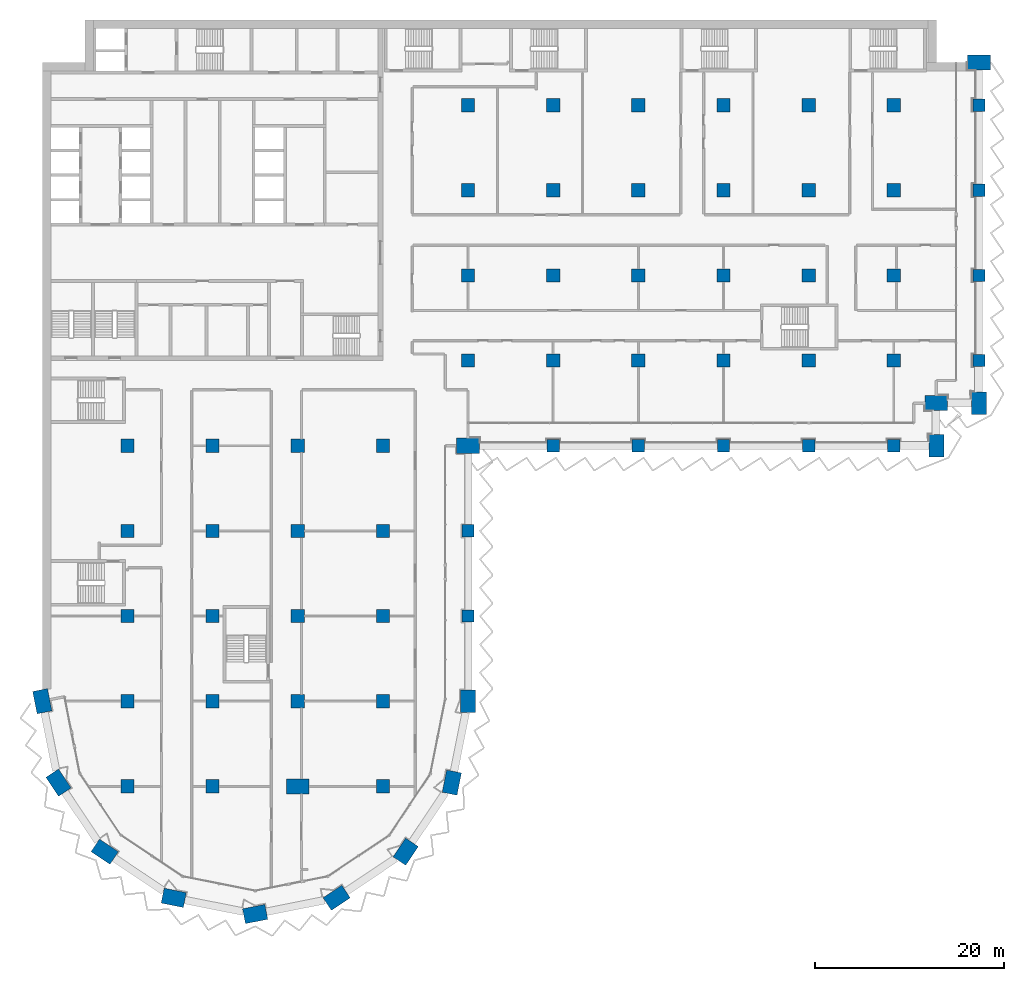
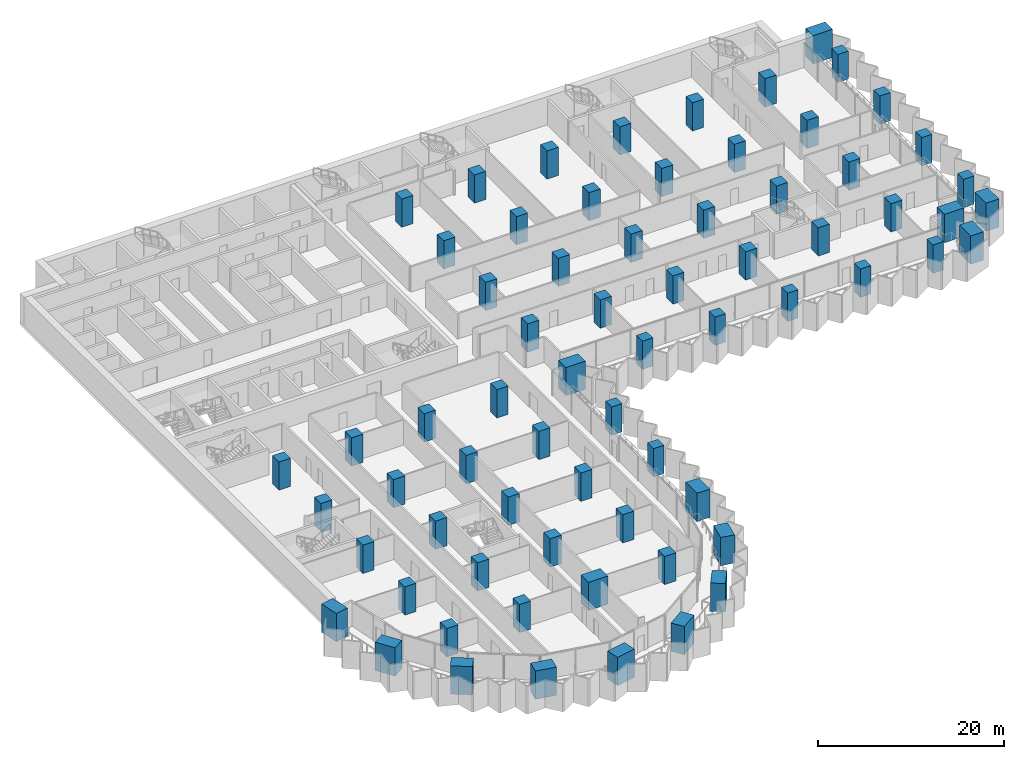
# One storey, part 1 of 28: 69 columns.
"""IFC4 building model written with IfcOpenShell, lengths in metres."""

from ifc_helpers import new_model, si_unit, direction, frame, origin, origin_2d, place, context, subcontext, project, spatial, rectangle, extrude, material, material_profile, profile_set, type_object, element, save


model = new_model("IFC4")

# Units and contexts
model_context = context("Model", 3, precision=1e-05, world=origin(), true_north=direction((0.0, 1.0)))
body_context = subcontext(model_context, "Body", "Model", "MODEL_VIEW")
ifc_project = project(units=[si_unit("LENGTHUNIT", "METRE"), si_unit("AREAUNIT", "SQUARE_METRE"), si_unit("VOLUMEUNIT", "CUBIC_METRE"), si_unit("PLANEANGLEUNIT", "RADIAN"), si_unit("MASSUNIT", "GRAM", prefix="KILO")], contexts=[model_context])

# Site, building, storey
site_placement = place(None, origin())
site = spatial("IfcSite", under=ifc_project, at=site_placement, CompositionType="ELEMENT")
building_placement = place(site_placement, origin())
building = spatial("IfcBuilding", under=site, at=building_placement, Name="Hunhe Ridgeline Campus", CompositionType="ELEMENT")
storey_placement = place(building_placement, frame((0.0, 0.0, 72.800048828125)))
storey = spatial("IfcBuildingStorey", under=building, at=storey_placement, Name="L17", CompositionType="ELEMENT", Elevation=72.800048828125)

# Columns
ifc_material = material(Name="Concrete C80", Category="concrete")
ifc_material_profile_1 = material_profile(ifc_material, rectangle(XDim=2.39990234375, YDim=1.60009765625, at=origin_2d()))
ifc_profile_set_1 = profile_set([ifc_material_profile_1], Name="Concrete C80")
column_type_1 = type_object("IfcColumnType", Name="Megacolumn 2400x1600 Concrete C80", PredefinedType="COLUMN", material=ifc_profile_set_1)
for number, where, z_axis, x_axis, name in (
    (1, (22.5, 4.5, 0.0), (0.0, 0.0, 1.0), (0.980785280403, 0.195090322016, 0.0), "Column C3 R1 L17"),
    (2, (13.8896484375, 6.212646484375, 0.0), (0.0, 0.0, 1.0), (-0.980785280403, 0.195090322016, 0.0), "Column C3 R2 L17"),
    (3, (31.1103515625, 6.212646484375, 0.0), (0.0, 0.0, 1.0), (0.831469612303, 0.55557023302, 0.0), "Column C3 R3 L17"),
    (4, (6.590087890625, 11.090087890625, 0.0), (0.0, 0.0, 1.0), (-0.831469612303, 0.55557023302, 0.0), "Column C3 R4 L17"),
    (5, (38.409912109375, 11.090087890625, 0.0), (0.0, 0.0, 1.0), (0.55557023302, 0.831469612303, 0.0), "Column C3 R5 L17"),
    (6, (1.712646484375, 18.3896484375, 0.0), (0.0, 0.0, 1.0), (-0.55557023302, 0.831469612303, 0.0), "Column C3 R9 L17"),
    (7, (43.287353515625, 18.3896484375, 0.0), (0.0, 0.0, 1.0), (0.195090322016, 0.980785280403, 0.0), "Column C3 R10 L17"),
    (8, (0.0, 27.0, 0.0), (0.0, 0.0, 1.0), (-0.195090322016, 0.980785280403, 0.0), "Column C3 D1 L17"),
    (9, (45.0, 27.0, 0.0), (0.0, 0.0, 1.0), (0.0, 1.0, 0.0), "Column C3 D6 L17"),
    (10, (45.0, 54.0, 0.0), (0.0, 0.0, 1.0), (1.0, 0.0, 0.0), "Column C3 G6 L17"),
    (11, (94.5, 54.0, 0.0), (0.0, 0.0, 1.0), (0.0, 1.0, 0.0), "Column C3 R32 L17"),
    (12, (94.5, 58.5, 0.0), (0.0, 0.0, 1.0), (1.0, 0.0, 0.0), "Column C3 R39 L17"),
    (13, (99.0, 58.5, 0.0), (0.0, 0.0, 1.0), (0.0, 1.0, 0.0), "Column C3 R40 L17"),
    (14, (99.0, 94.5, 0.0), (0.0, 0.0, 1.0), (1.0, 0.0, 0.0), "Column C3 R44 L17"),
    (15, (27.0, 18.0, 0.0), (0.0, 0.0, 1.0), (1.0, 0.0, 0.0), "Column C3 C4 L17"),
):
    element("IfcColumn", number, at=place(storey_placement, frame(where, z_axis=z_axis, x_axis=x_axis)), inside=storey, type_object=column_type_1, Name=name, PredefinedType="COLUMN", context=body_context, shape_type="SweptSolid", body=[
        extrude(rectangle(XDim=2.39990234375, YDim=1.60009765625, at=origin_2d()), origin(), (0.0, 0.0, 1.0), 3.699951171875),
    ])
ifc_material_profile_2 = material_profile(ifc_material, rectangle(XDim=1.300048828125, YDim=1.300048828125, at=origin_2d()))
ifc_profile_set_2 = profile_set([ifc_material_profile_2], Name="Concrete C80")
column_type_2 = type_object("IfcColumnType", Name="RC column 1300x1300 Concrete C80", PredefinedType="COLUMN", material=ifc_profile_set_2)
for number, where, z_axis, x_axis, name in (
    (16, (45.0, 36.0, 0.0), (0.0, 0.0, 1.0), (1.0, 0.0, 0.0), "Column C4 E6 L17"),
    (17, (45.0, 45.0, 0.0), (0.0, 0.0, 1.0), (1.0, 0.0, 0.0), "Column C4 F6 L17"),
    (18, (54.0, 54.0, 0.0), (0.0, 0.0, 1.0), (1.0, 0.0, 0.0), "Column C4 G7 L17"),
    (19, (63.0, 54.0, 0.0), (0.0, 0.0, 1.0), (1.0, 0.0, 0.0), "Column C4 G8 L17"),
    (20, (72.0, 54.0, 0.0), (0.0, 0.0, 1.0), (1.0, 0.0, 0.0), "Column C4 G9 L17"),
    (21, (81.0, 54.0, 0.0), (0.0, 0.0, 1.0), (1.0, 0.0, 0.0), "Column C4 G10 L17"),
    (22, (90.0, 54.0, 0.0), (0.0, 0.0, 1.0), (1.0, 0.0, 0.0), "Column C4 G11 L17"),
    (23, (99.0, 63.0, 0.0), (0.0, 0.0, 1.0), (1.0, 0.0, 0.0), "Column C4 H12 L17"),
    (24, (99.0, 72.0, 0.0), (0.0, 0.0, 1.0), (1.0, 0.0, 0.0), "Column C4 I12 L17"),
    (25, (99.0, 81.0, 0.0), (0.0, 0.0, 1.0), (1.0, 0.0, 0.0), "Column C4 J12 L17"),
    (26, (99.0, 90.0, 0.0), (0.0, 0.0, 1.0), (1.0, 0.0, 0.0), "Column C4 K12 L17"),
):
    element("IfcColumn", number, at=place(storey_placement, frame(where, z_axis=z_axis, x_axis=x_axis)), inside=storey, type_object=column_type_2, Name=name, PredefinedType="COLUMN", context=body_context, shape_type="SweptSolid", body=[
        extrude(rectangle(XDim=1.300048828125, YDim=1.300048828125, at=origin_2d()), origin(), (0.0, 0.0, 1.0), 3.699951171875),
    ])
ifc_material_profile_3 = material_profile(ifc_material, rectangle(XDim=1.39990234375, YDim=1.39990234375, at=origin_2d()))
ifc_profile_set_3 = profile_set([ifc_material_profile_3], Name="Concrete C80")
column_type_3 = type_object("IfcColumnType", Name="RC column 1400x1400 Concrete C80", PredefinedType="COLUMN", material=ifc_profile_set_3)
for number, where, z_axis, x_axis, name in (
    (27, (9.0, 18.0, 0.0), (0.0, 0.0, 1.0), (1.0, 0.0, 0.0), "Column C5 C2 L17"),
    (28, (9.0, 27.0, 0.0), (0.0, 0.0, 1.0), (1.0, 0.0, 0.0), "Column C5 D2 L17"),
    (29, (9.0, 36.0, 0.0), (0.0, 0.0, 1.0), (1.0, 0.0, 0.0), "Column C5 E2 L17"),
    (30, (9.0, 45.0, 0.0), (0.0, 0.0, 1.0), (1.0, 0.0, 0.0), "Column C5 F2 L17"),
    (31, (9.0, 54.0, 0.0), (0.0, 0.0, 1.0), (1.0, 0.0, 0.0), "Column C5 G2 L17"),
    (32, (18.0, 18.0, 0.0), (0.0, 0.0, 1.0), (1.0, 0.0, 0.0), "Column C5 C3 L17"),
    (33, (18.0, 27.0, 0.0), (0.0, 0.0, 1.0), (1.0, 0.0, 0.0), "Column C5 D3 L17"),
    (34, (18.0, 36.0, 0.0), (0.0, 0.0, 1.0), (1.0, 0.0, 0.0), "Column C5 E3 L17"),
    (35, (18.0, 45.0, 0.0), (0.0, 0.0, 1.0), (1.0, 0.0, 0.0), "Column C5 F3 L17"),
    (36, (18.0, 54.0, 0.0), (0.0, 0.0, 1.0), (1.0, 0.0, 0.0), "Column C5 G3 L17"),
    (37, (27.0, 27.0, 0.0), (0.0, 0.0, 1.0), (1.0, 0.0, 0.0), "Column C5 D4 L17"),
    (38, (27.0, 36.0, 0.0), (0.0, 0.0, 1.0), (1.0, 0.0, 0.0), "Column C5 E4 L17"),
    (39, (27.0, 45.0, 0.0), (0.0, 0.0, 1.0), (1.0, 0.0, 0.0), "Column C5 F4 L17"),
    (40, (27.0, 54.0, 0.0), (0.0, 0.0, 1.0), (1.0, 0.0, 0.0), "Column C5 G4 L17"),
    (41, (36.0, 18.0, 0.0), (0.0, 0.0, 1.0), (1.0, 0.0, 0.0), "Column C5 C5 L17"),
    (42, (36.0, 27.0, 0.0), (0.0, 0.0, 1.0), (1.0, 0.0, 0.0), "Column C5 D5 L17"),
    (43, (36.0, 36.0, 0.0), (0.0, 0.0, 1.0), (1.0, 0.0, 0.0), "Column C5 E5 L17"),
    (44, (36.0, 45.0, 0.0), (0.0, 0.0, 1.0), (1.0, 0.0, 0.0), "Column C5 F5 L17"),
    (45, (36.0, 54.0, 0.0), (0.0, 0.0, 1.0), (1.0, 0.0, 0.0), "Column C5 G5 L17"),
    (46, (45.0, 63.0, 0.0), (0.0, 0.0, 1.0), (1.0, 0.0, 0.0), "Column C5 H6 L17"),
    (47, (45.0, 72.0, 0.0), (0.0, 0.0, 1.0), (1.0, 0.0, 0.0), "Column C5 I6 L17"),
    (48, (45.0, 81.0, 0.0), (0.0, 0.0, 1.0), (1.0, 0.0, 0.0), "Column C5 J6 L17"),
    (49, (45.0, 90.0, 0.0), (0.0, 0.0, 1.0), (1.0, 0.0, 0.0), "Column C5 K6 L17"),
    (50, (54.0, 63.0, 0.0), (0.0, 0.0, 1.0), (1.0, 0.0, 0.0), "Column C5 H7 L17"),
    (51, (54.0, 72.0, 0.0), (0.0, 0.0, 1.0), (1.0, 0.0, 0.0), "Column C5 I7 L17"),
    (52, (54.0, 81.0, 0.0), (0.0, 0.0, 1.0), (1.0, 0.0, 0.0), "Column C5 J7 L17"),
    (53, (54.0, 90.0, 0.0), (0.0, 0.0, 1.0), (1.0, 0.0, 0.0), "Column C5 K7 L17"),
    (54, (63.0, 63.0, 0.0), (0.0, 0.0, 1.0), (1.0, 0.0, 0.0), "Column C5 H8 L17"),
    (55, (63.0, 72.0, 0.0), (0.0, 0.0, 1.0), (1.0, 0.0, 0.0), "Column C5 I8 L17"),
    (56, (63.0, 81.0, 0.0), (0.0, 0.0, 1.0), (1.0, 0.0, 0.0), "Column C5 J8 L17"),
    (57, (63.0, 90.0, 0.0), (0.0, 0.0, 1.0), (1.0, 0.0, 0.0), "Column C5 K8 L17"),
    (58, (72.0, 63.0, 0.0), (0.0, 0.0, 1.0), (1.0, 0.0, 0.0), "Column C5 H9 L17"),
    (59, (72.0, 72.0, 0.0), (0.0, 0.0, 1.0), (1.0, 0.0, 0.0), "Column C5 I9 L17"),
    (60, (72.0, 81.0, 0.0), (0.0, 0.0, 1.0), (1.0, 0.0, 0.0), "Column C5 J9 L17"),
    (61, (72.0, 90.0, 0.0), (0.0, 0.0, 1.0), (1.0, 0.0, 0.0), "Column C5 K9 L17"),
    (62, (81.0, 63.0, 0.0), (0.0, 0.0, 1.0), (1.0, 0.0, 0.0), "Column C5 H10 L17"),
    (63, (81.0, 72.0, 0.0), (0.0, 0.0, 1.0), (1.0, 0.0, 0.0), "Column C5 I10 L17"),
    (64, (81.0, 81.0, 0.0), (0.0, 0.0, 1.0), (1.0, 0.0, 0.0), "Column C5 J10 L17"),
    (65, (81.0, 90.0, 0.0), (0.0, 0.0, 1.0), (1.0, 0.0, 0.0), "Column C5 K10 L17"),
    (66, (90.0, 63.0, 0.0), (0.0, 0.0, 1.0), (1.0, 0.0, 0.0), "Column C5 H11 L17"),
    (67, (90.0, 72.0, 0.0), (0.0, 0.0, 1.0), (1.0, 0.0, 0.0), "Column C5 I11 L17"),
    (68, (90.0, 81.0, 0.0), (0.0, 0.0, 1.0), (1.0, 0.0, 0.0), "Column C5 J11 L17"),
    (69, (90.0, 90.0, 0.0), (0.0, 0.0, 1.0), (1.0, 0.0, 0.0), "Column C5 K11 L17"),
):
    element("IfcColumn", number, at=place(storey_placement, frame(where, z_axis=z_axis, x_axis=x_axis)), inside=storey, type_object=column_type_3, Name=name, PredefinedType="COLUMN", context=body_context, shape_type="SweptSolid", body=[
        extrude(rectangle(XDim=1.39990234375, YDim=1.39990234375, at=origin_2d()), origin(), (0.0, 0.0, 1.0), 3.699951171875),
    ])

save(model, "model.ifc")
